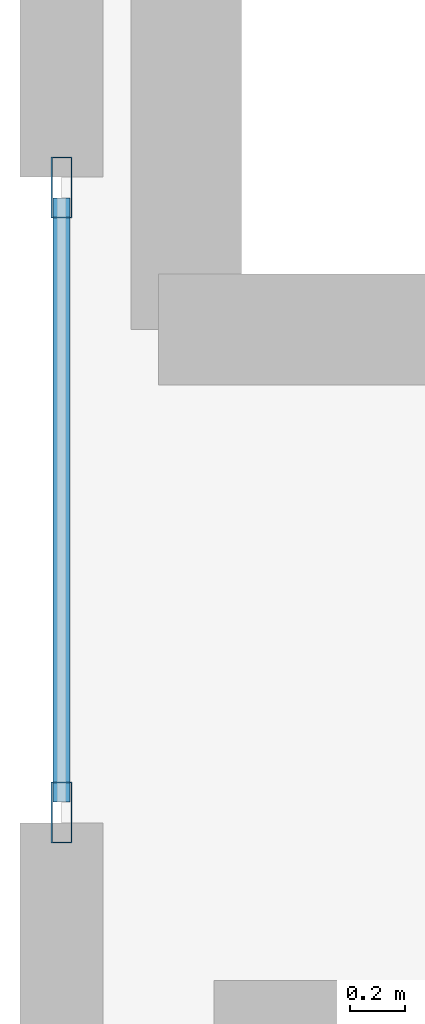
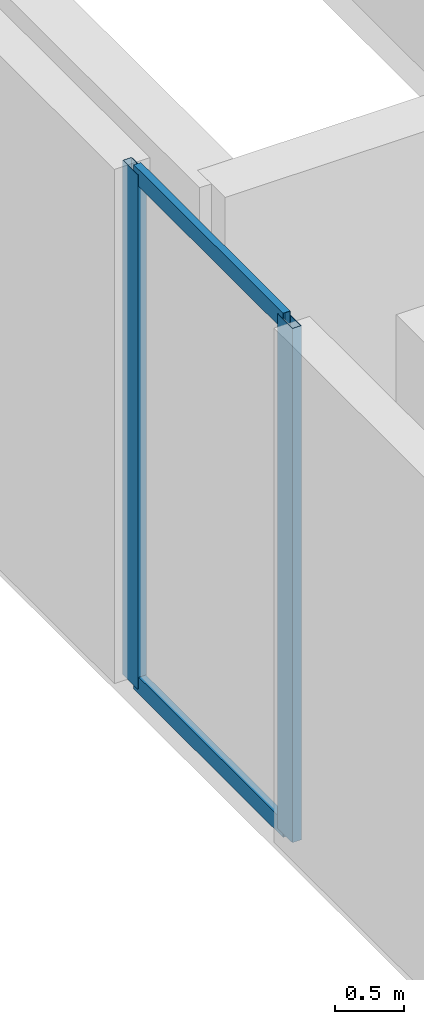
# One storey, part 3 of 28: 4 members, 1 element without a shape of its own.
"""IFC4 building model written with IfcOpenShell, lengths in metres."""

from ifc_helpers import new_model, si_unit, direction, frame, origin, origin_2d, place, context, subcontext, project, spatial, hollow_rectangle, extrude, material, layer, layer_set, material_profile, profile_set, type_object, element, aggregate, save


model = new_model("IFC4")

# Units and contexts
model_context = context("Model", 3, precision=1e-05, world=origin(), true_north=direction((0.0, 1.0)))
body_context = subcontext(model_context, "Body", "Model", "MODEL_VIEW")
ifc_project = project(units=[si_unit("LENGTHUNIT", "METRE"), si_unit("AREAUNIT", "SQUARE_METRE"), si_unit("VOLUMEUNIT", "CUBIC_METRE"), si_unit("PLANEANGLEUNIT", "RADIAN"), si_unit("MASSUNIT", "GRAM", prefix="KILO")], contexts=[model_context])

# Site, building, storey
site_placement = place(None, origin())
site = spatial("IfcSite", under=ifc_project, at=site_placement, CompositionType="ELEMENT")
building_placement = place(site_placement, origin())
building = spatial("IfcBuilding", under=site, at=building_placement, Name="Zuhayl Quay Hotel", CompositionType="ELEMENT")
storey_placement = place(building_placement, frame((0.0, 0.0, 22.800048828125)))
storey = spatial("IfcBuildingStorey", under=building, at=storey_placement, Name="L04", CompositionType="ELEMENT", Elevation=22.800048828125)

# Curtain wall, members
ifc_material_1 = material(Name="Anodised Aluminium 6063-T6", Category="aluminium")
ifc_layer = layer(ifc_material_1, 0.199951171875, Name="Anodised Aluminium 6063-T6", Category="aluminium")
ifc_layer_set = layer_set([ifc_layer], Name="Anodised Aluminium 6063-T6")
curtain_wall_type = type_object("IfcCurtainWallType", Name="CW_SYS_POD", PredefinedType="USERDEFINED", material=ifc_layer_set)
curtain_wall_placement = place(storey_placement, origin())
curtain_wall = element("IfcCurtainWall", 1, at=curtain_wall_placement, inside=storey, type_object=curtain_wall_type, Name="L04 Curtain Wall ENV_L04_E02_CW1", ObjectType="UNITISED CURTAIN WALL", PredefinedType="USERDEFINED")
ifc_material_2 = material(Name="Black-anodised aluminium 6063-T6", Category="aluminium")
ifc_material_profile_1 = material_profile(ifc_material_2, hollow_rectangle(XDim=0.074951171875, YDim=0.219970703125, WallThickness=0.00390625, at=origin_2d()), Name="ALU220X75")
ifc_profile_set_1 = profile_set([ifc_material_profile_1], Name="Black-anodised aluminium 6063-T6")
member_type_1 = type_object("IfcMemberType", Name="MB_CW_MUL_220", PredefinedType="MULLION", material=ifc_profile_set_1)
member_1_placement = place(storey_placement, frame((-36.0, -15.54248046875, 0.0), z_axis=(0.0, 0.0, 1.0), x_axis=(-1.0, 0.0, 0.0)))
member_1 = element("IfcMember", 2, at=member_1_placement, type_object=member_type_1, Name="CW-POD mullion 1", PredefinedType="MULLION", context=body_context, shape_type="SweptSolid", body=[
    extrude(hollow_rectangle(XDim=0.074951171875, YDim=0.219970703125, WallThickness=0.00390625, at=origin_2d()), origin(), (0.0, 0.0, 1.0), 4.579833984375),
])
member_2_placement = place(storey_placement, frame((-36.0, -13.28759765625, 0.0), z_axis=(0.0, 0.0, 1.0), x_axis=(-1.0, 0.0, 0.0)))
member_2 = element("IfcMember", 3, at=member_2_placement, type_object=member_type_1, Name="CW-POD mullion 2", PredefinedType="MULLION", context=body_context, shape_type="SweptSolid", body=[
    extrude(hollow_rectangle(XDim=0.074951171875, YDim=0.219970703125, WallThickness=0.00390625, at=origin_2d()), origin(), (0.0, 0.0, 1.0), 4.579833984375),
])
ifc_material_profile_2 = material_profile(ifc_material_2, hollow_rectangle(XDim=0.06005859375, YDim=0.14990234375, WallThickness=0.00341796875, at=origin_2d()), Name="ALU150X60")
ifc_profile_set_2 = profile_set([ifc_material_profile_2], Name="Black-anodised aluminium 6063-T6")
member_type_2 = type_object("IfcMemberType", Name="MB_CW_TRN_150", PredefinedType="USERDEFINED", material=ifc_profile_set_2)
member_3_placement = place(storey_placement, frame((-36.0, -15.5048828125, 0.030029296875), z_axis=(0.0, 1.0, 0.0), x_axis=(-1.0, 0.0, 0.0)))
member_3 = element("IfcMember", 4, at=member_3_placement, type_object=member_type_2, Name="CW-POD transom 1.1", ObjectType="TRANSOM", PredefinedType="USERDEFINED", context=body_context, shape_type="SweptSolid", body=[
    extrude(hollow_rectangle(XDim=0.06005859375, YDim=0.14990234375, WallThickness=0.00341796875, at=origin_2d()), origin(), (0.0, 0.0, 1.0), 2.179931640625),
])
member_4_placement = place(storey_placement, frame((-36.0, -15.5048828125, 4.550048828125), z_axis=(0.0, 1.0, 0.0), x_axis=(-1.0, 0.0, 0.0)))
member_4 = element("IfcMember", 5, at=member_4_placement, type_object=member_type_2, Name="CW-POD transom 1.2", ObjectType="TRANSOM", PredefinedType="USERDEFINED", context=body_context, shape_type="SweptSolid", body=[
    extrude(hollow_rectangle(XDim=0.06005859375, YDim=0.14990234375, WallThickness=0.00341796875, at=origin_2d()), origin(), (0.0, 0.0, 1.0), 2.179931640625),
])
aggregate(curtain_wall, [member_1, member_2, member_3, member_4])

save(model, "model.ifc")
